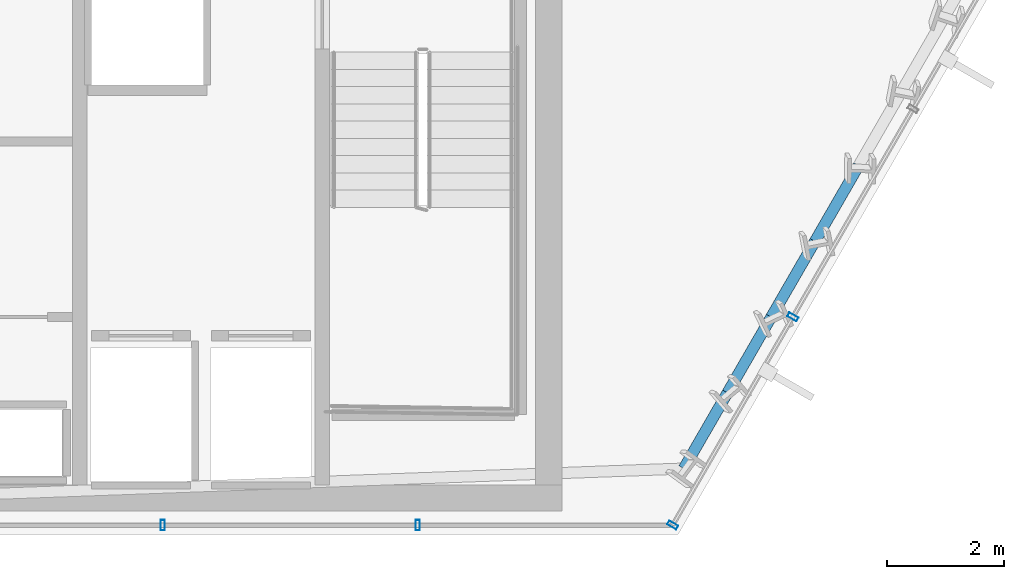
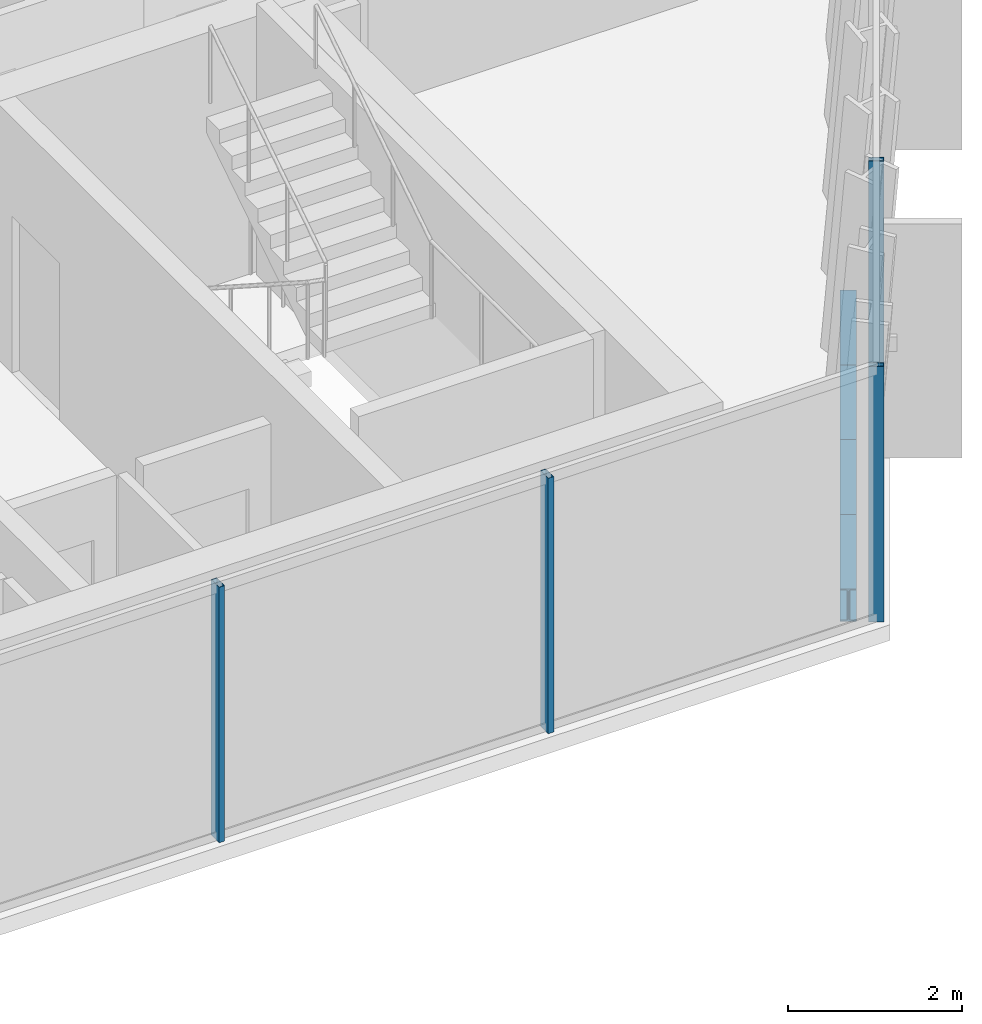
# One storey, part 15 of 32: 4 beams, 4 members, 2 elements without a shape of their own.
"""IFC4 building model written with IfcOpenShell, lengths in metres."""

from ifc_helpers import new_model, si_unit, direction, frame, origin, origin_2d, place, context, subcontext, project, spatial, hollow_rectangle, i_section, extrude, material, layer, layer_set, material_profile, profile_set, type_object, element, aggregate, save


model = new_model("IFC4")

# Units and contexts
model_context = context("Model", 3, precision=1e-05, world=origin(), true_north=direction((0.0, 1.0)))
body_context = subcontext(model_context, "Body", "Model", "MODEL_VIEW")
ifc_project = project(units=[si_unit("LENGTHUNIT", "METRE"), si_unit("AREAUNIT", "SQUARE_METRE"), si_unit("VOLUMEUNIT", "CUBIC_METRE"), si_unit("PLANEANGLEUNIT", "RADIAN"), si_unit("MASSUNIT", "GRAM", prefix="KILO")], contexts=[model_context])

# Site, building, storey
site_placement = place(None, origin())
site = spatial("IfcSite", under=ifc_project, at=site_placement, CompositionType="ELEMENT")
building_placement = place(site_placement, origin())
building = spatial("IfcBuilding", under=site, at=building_placement, Name="Ndaravel Arena Tower", CompositionType="ELEMENT")
storey_placement = place(building_placement, frame((0.0, 0.0, 134.60009765625)))
storey = spatial("IfcBuildingStorey", under=building, at=storey_placement, Name="L31", CompositionType="ELEMENT", Elevation=134.60009765625)

# Beams
ifc_material_1 = material(Name="Steel S355", Category="steel")
ifc_material_profile_1 = material_profile(ifc_material_1, i_section(OverallWidth=0.18994140625, OverallDepth=0.449951171875, WebThickness=0.009521484375, FlangeThickness=0.0146484375, FilletRadius=0.02099609375, at=origin_2d()), Name="IPE 450")
ifc_profile_set_1 = profile_set([ifc_material_profile_1], Name="Steel S355")
beam_type = type_object("IfcBeamType", Name="BM-SPAN-IPE450", PredefinedType="SPANDREL", material=ifc_profile_set_1)
for number, where, z_axis, x_axis, name in (
    (1, (59.6337890625, 6.127685546875, -0.445068359375), (0.500089897431, 0.865973495257, 0.0), (-0.865973495257, 0.500089897431, 0.0), "L31 Perimeter Spandrel Beam SP-02"),
    (2, (60.381591796875, 7.422607421875, -0.445068359375), (0.499896754619, 0.866085004328, 0.0), (-0.866085004328, 0.499896754619, 0.0), "L31 Perimeter Spandrel Beam SP-03"),
):
    element("IfcBeam", number, at=place(storey_placement, frame(where, z_axis=z_axis, x_axis=x_axis)), inside=storey, type_object=beam_type, Name=name, PredefinedType="SPANDREL", context=body_context, shape_type="SweptSolid", body=[
        extrude(i_section(OverallWidth=0.18994140625, OverallDepth=0.449951171875, WebThickness=0.009521484375, FlangeThickness=0.0146484375, FilletRadius=0.02099609375, at=origin_2d()), origin(), (0.0, 0.0, 1.0), 1.495361328125),
    ])
for number, where, z_axis, x_axis, name in (
    (3, (61.129150390625, 8.7177734375, -0.445068359375), (0.500019200167, 0.866014318279, 0.0), (-0.866014318279, 0.500019200167, 0.0), "L31 Perimeter Spandrel Beam SP-04"),
    (4, (61.876953125, 10.012939453125, -0.445068359375), (0.500019200167, 0.866014318279, 0.0), (-0.866014318279, 0.500019200167, 0.0), "L31 Perimeter Spandrel Beam SP-05"),
):
    element("IfcBeam", number, at=place(storey_placement, frame(where, z_axis=z_axis, x_axis=x_axis)), inside=storey, type_object=beam_type, Name=name, PredefinedType="SPANDREL", context=body_context, shape_type="SweptSolid", body=[
        extrude(i_section(OverallWidth=0.18994140625, OverallDepth=0.449951171875, WebThickness=0.009521484375, FlangeThickness=0.0146484375, FilletRadius=0.02099609375, at=origin_2d()), origin(), (0.0, 0.0, 1.0), 1.49560546875),
    ])

# Curtain wall, members
ifc_material_2 = material(Name="Aluminium", Category="aluminium")
ifc_layer_1 = layer(ifc_material_2, 0.179931640625)
ifc_layer_set_1 = layer_set([ifc_layer_1], Name="Aluminium")
curtain_wall_type_1 = type_object("IfcCurtainWallType", Name="CW-SYS-03", PredefinedType="NOTDEFINED", material=ifc_layer_set_1)
curtain_wall_1_placement = place(storey_placement, origin())
curtain_wall_1 = element("IfcCurtainWall", 5, at=curtain_wall_1_placement, inside=storey, type_object=curtain_wall_type_1, Name="L31 Faceted Crystal Curtain Wall CW-L31-E01", PredefinedType="NOTDEFINED")
ifc_material_3 = material(Name="Aluminium", Category="aluminium")
ifc_material_profile_2 = material_profile(ifc_material_3, hollow_rectangle(XDim=0.074951171875, YDim=0.179931640625, WallThickness=0.00390625, at=origin_2d()), Name="CW MULLION 75x180x4")
ifc_profile_set_2 = profile_set([ifc_material_profile_2], Name="Aluminium")
member_type = type_object("IfcMemberType", Name="MEM-CW-MUL180", PredefinedType="MULLION", material=ifc_profile_set_2)
member_1_placement = place(storey_placement, frame((50.722412109375, 5.159912109375, 0.0), z_axis=(0.0, 0.0, 1.0), x_axis=(1.0, 0.0, 0.0)))
member_1 = element("IfcMember", 6, at=member_1_placement, type_object=member_type, Name="CW-L31-E01 Mullion 06", PredefinedType="MULLION", context=body_context, shape_type="SweptSolid", body=[
    extrude(hollow_rectangle(XDim=0.074951171875, YDim=0.179931640625, WallThickness=0.00390625, at=origin_2d()), origin(), (0.0, 0.0, 1.0), 3.579833984375),
])
member_2_placement = place(storey_placement, frame((55.08349609375, 5.159912109375, 0.0), z_axis=(0.0, 0.0, 1.0), x_axis=(1.0, 0.0, 0.0)))
member_2 = element("IfcMember", 7, at=member_2_placement, type_object=member_type, Name="CW-L31-E01 Mullion 07", PredefinedType="MULLION", context=body_context, shape_type="SweptSolid", body=[
    extrude(hollow_rectangle(XDim=0.074951171875, YDim=0.179931640625, WallThickness=0.00390625, at=origin_2d()), origin(), (0.0, 0.0, 1.0), 3.579833984375),
])
aggregate(curtain_wall_1, [member_1, member_2])

ifc_material_4 = material(Name="Aluminium", Category="aluminium")
ifc_layer_2 = layer(ifc_material_4, 0.179931640625)
ifc_layer_set_2 = layer_set([ifc_layer_2], Name="Aluminium")
curtain_wall_type_2 = type_object("IfcCurtainWallType", Name="CW-SYS-01", PredefinedType="NOTDEFINED", material=ifc_layer_set_2)
curtain_wall_2_placement = place(storey_placement, origin())
curtain_wall_2 = element("IfcCurtainWall", 8, at=curtain_wall_2_placement, inside=storey, type_object=curtain_wall_type_2, Name="L31 Faceted Crystal Curtain Wall CW-L31-E02", PredefinedType="NOTDEFINED")
member_3_placement = place(storey_placement, frame((59.444580078125, 5.159912109375, 0.0), z_axis=(0.0, 0.0, 1.0), x_axis=(0.5, 0.866025403784, 0.0)))
member_3 = element("IfcMember", 9, at=member_3_placement, type_object=member_type, Name="CW-L31-E02 Mullion 00", PredefinedType="MULLION", context=body_context, shape_type="SweptSolid", body=[
    extrude(hollow_rectangle(XDim=0.074951171875, YDim=0.179931640625, WallThickness=0.00390625, at=origin_2d()), origin(), (0.0, 0.0, 1.0), 3.579833984375),
])
member_4_placement = place(storey_placement, frame((61.500244140625, 8.720458984375, 0.0), z_axis=(0.0, 0.0, 1.0), x_axis=(0.5, 0.866025403784, 0.0)))
member_4 = element("IfcMember", 10, at=member_4_placement, type_object=member_type, Name="CW-L31-E02 Mullion 01", PredefinedType="MULLION", context=body_context, shape_type="SweptSolid", body=[
    extrude(hollow_rectangle(XDim=0.074951171875, YDim=0.179931640625, WallThickness=0.00390625, at=origin_2d()), origin(), (0.0, 0.0, 1.0), 3.579833984375),
])
aggregate(curtain_wall_2, [member_3, member_4])

save(model, "model.ifc")
